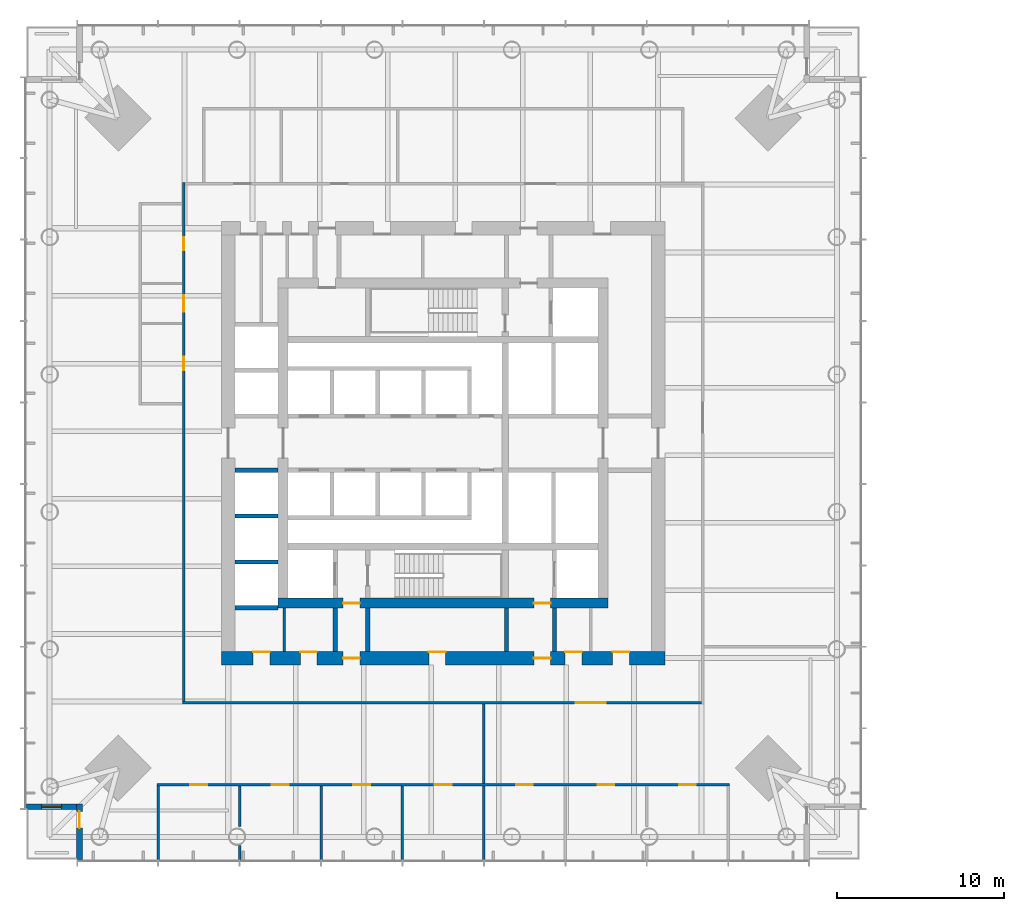
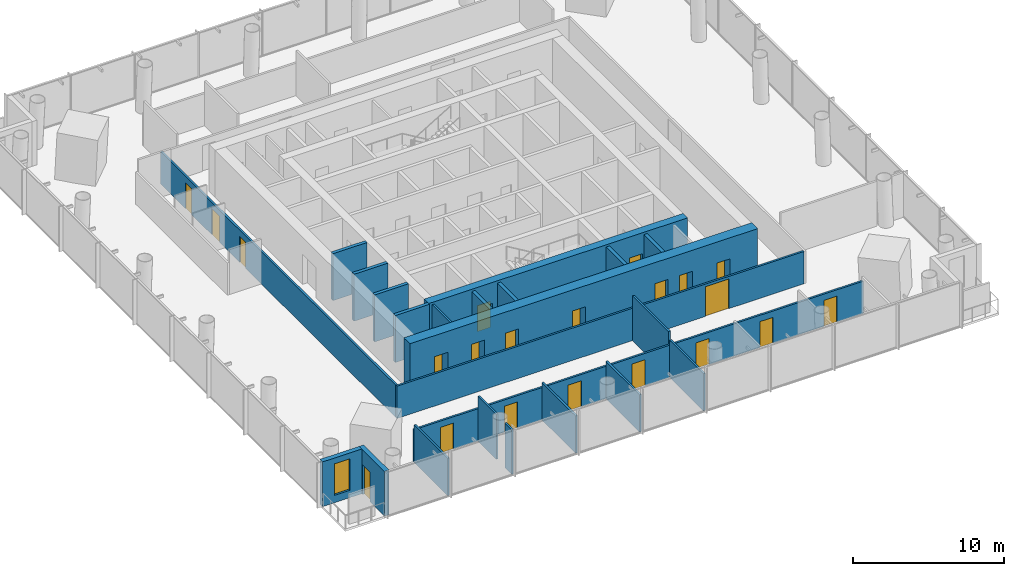
# One storey, part 10 of 21: 23 walls, 21 doors, 1 window, 22 openings.
"""IFC4 building model written with IfcOpenShell, lengths in metres."""

from ifc_helpers import new_model, si_unit, direction, frame, frame_2d, origin, place, context, subcontext, project, spatial, rectangle, extrude, material, layer, layer_set, type_object, element, fill, save


model = new_model("IFC4")

# Units and contexts
model_context = context("Model", 3, precision=1e-05, world=origin(), true_north=direction((0.0, 1.0)))
body_context = subcontext(model_context, "Body", "Model", "MODEL_VIEW")
ifc_project = project(units=[si_unit("LENGTHUNIT", "METRE"), si_unit("AREAUNIT", "SQUARE_METRE"), si_unit("VOLUMEUNIT", "CUBIC_METRE"), si_unit("PLANEANGLEUNIT", "RADIAN"), si_unit("MASSUNIT", "GRAM", prefix="KILO")], contexts=[model_context])

# Site, building, storey
site_placement = place(None, origin())
site = spatial("IfcSite", under=ifc_project, at=site_placement, CompositionType="ELEMENT")
building_placement = place(site_placement, origin())
building = spatial("IfcBuilding", under=site, at=building_placement, Name="Ostroluk Exchange", CompositionType="ELEMENT")
storey_placement = place(building_placement, frame((0.0, 0.0, 32.39990234375)))
storey = spatial("IfcBuildingStorey", under=building, at=storey_placement, Name="L07", CompositionType="ELEMENT", Elevation=32.39990234375)

# Walls
ifc_material_1 = material(Name="Concrete blockwork", Category="masonry")
ifc_layer_1 = layer(ifc_material_1, 0.14990234375)
ifc_layer_set_1 = layer_set([ifc_layer_1], Name="Blockwork plant room wall 150")
wall_type_1 = type_object("IfcWallType", Name="Blockwork plant room wall 150", PredefinedType="SOLIDWALL", material=ifc_layer_set_1)
wall_1_placement = place(storey_placement, frame((35.449951171875, 33.5, 0.0), z_axis=(0.0, 0.0, 1.0), x_axis=(0.0, 1.0, 0.0)))
element("IfcWall", 1, at=wall_1_placement, inside=storey, type_object=wall_type_1, Name="Core room wall", PredefinedType="SOLIDWALL", context=body_context, shape_type="SweptSolid", body=[
    extrude(rectangle(XDim=2.60009765625, YDim=0.14990234375, at=frame_2d((1.300048828125, 0.0))), origin(), (0.0, 0.0, 1.0), 3.6201171875),
])
ifc_material_2 = material(Name="Concrete blockwork", Category="masonry")
ifc_layer_2 = layer(ifc_material_2, 0.25)
ifc_layer_set_2 = layer_set([ifc_layer_2], Name="Blockwork stair enclosure wall 250")
wall_type_2 = type_object("IfcWallType", Name="Blockwork stair enclosure wall 250", PredefinedType="SOLIDWALL", material=ifc_layer_set_2)
for number, where, z_axis, x_axis, name in (
    (2, (38.52490234375, 33.5, 0.0), (0.0, 0.0, 1.0), (0.0, 1.0, 0.0), "Fire lobby enclosure wall"),
    (3, (40.47509765625, 33.5, 0.0), (0.0, 0.0, 1.0), (0.0, 1.0, 0.0), "Fire lobby enclosure wall"),
    (4, (48.804931640625, 33.5, 0.0), (0.0, 0.0, 1.0), (0.0, 1.0, 0.0), "Service lobby enclosure wall"),
    (5, (51.675048828125, 33.5, 0.0), (0.0, 0.0, 1.0), (0.0, 1.0, 0.0), "Service lobby enclosure wall"),
):
    element("IfcWall", number, at=place(storey_placement, frame(where, z_axis=z_axis, x_axis=x_axis)), inside=storey, type_object=wall_type_2, Name=name, PredefinedType="SOLIDWALL", context=body_context, shape_type="SweptSolid", body=[
        extrude(rectangle(XDim=2.60009765625, YDim=0.25, at=frame_2d((1.300048828125, 0.0))), origin(), (0.0, 0.0, 1.0), 3.6201171875),
    ])
ifc_material_3 = material(Name="Concrete C40/50", Category="concrete")
ifc_layer_3 = layer(ifc_material_3, 0.25)
ifc_layer_set_3 = layer_set([ifc_layer_3], Name="Core shaft wall 250")
wall_type_3 = type_object("IfcWallType", Name="Core shaft wall 250", PredefinedType="SHEAR", material=ifc_layer_set_3)
for number, where, z_axis, x_axis, name in (
    (6, (32.5, 36.125, 0.0), (0.0, 0.0, 1.0), (1.0, 0.0, 0.0), "Lift shaft wall"),
    (7, (32.5, 38.875, 0.0), (0.0, 0.0, 1.0), (1.0, 0.0, 0.0), "Lift shaft wall"),
    (8, (32.5, 41.625, 0.0), (0.0, 0.0, 1.0), (1.0, 0.0, 0.0), "Lift shaft wall"),
    (9, (32.5, 44.375, 0.0), (0.0, 0.0, 1.0), (1.0, 0.0, 0.0), "Lift shaft wall"),
):
    element("IfcWall", number, at=place(storey_placement, frame(where, z_axis=z_axis, x_axis=x_axis)), inside=storey, type_object=wall_type_3, Name=name, PredefinedType="SHEAR", context=body_context, shape_type="SweptSolid", body=[
        extrude(rectangle(XDim=2.60009765625, YDim=0.25, at=frame_2d((1.300048828125, 0.0))), origin(), (0.0, 0.0, 1.0), 3.800048828125),
    ])

# Wall, openings, doors
ifc_material_4 = material(Name="Concrete C50/60", Category="concrete")
ifc_layer_4 = layer(ifc_material_4, 0.60009765625)
ifc_layer_set_4 = layer_set([ifc_layer_4], Name="Core wall 600 C50/60")
wall_type_4 = type_object("IfcWallType", Name="Core wall 600 C50/60", PredefinedType="SHEAR", material=ifc_layer_set_4)
wall_2_placement = place(storey_placement, frame((35.10009765625, 36.39990234375, 0.0), z_axis=(0.0, 0.0, 1.0), x_axis=(1.0, 0.0, 0.0)))
wall_2 = element("IfcWall", 10, at=wall_2_placement, inside=storey, type_object=wall_type_4, Name="T1 core wall S", PredefinedType="SHEAR", context=body_context, shape_type="SweptSolid", body=[
    extrude(rectangle(XDim=19.7998046875, YDim=0.60009765625, at=frame_2d((9.89990234375, 0.0))), origin(), (0.0, 0.0, 1.0), 3.800048828125),
])
opening_1_placement = place(wall_2_placement, frame((3.89990234375, 0.0, 0.0)))
opening_1 = element("IfcOpeningElement", 11, at=opening_1_placement, cuts=wall_2, Name="Opening FD60", PredefinedType="OPENING", context=body_context, shape_type="SweptSolid", body=[
    extrude(rectangle(XDim=1.0, YDim=2.10009765625, at=frame_2d((0.5, 1.050048828125))), frame((0.0, 0.31005859375, 0.0), z_axis=(0.0, -1.0, 0.0), x_axis=(1.0, 0.0, 0.0)), (0.0, 0.0, 1.0), 0.6201171875),
])
opening_2_placement = place(wall_2_placement, frame((15.35009765625, 0.0, 0.0)))
opening_2 = element("IfcOpeningElement", 12, at=opening_2_placement, cuts=wall_2, Name="Opening FD60", PredefinedType="OPENING", context=body_context, shape_type="SweptSolid", body=[
    extrude(rectangle(XDim=1.0, YDim=2.10009765625, at=frame_2d((0.5, 1.050048828125))), frame((0.0, 0.31005859375, 0.0), z_axis=(0.0, -1.0, 0.0), x_axis=(1.0, 0.0, 0.0)), (0.0, 0.0, 1.0), 0.6201171875),
])
ifc_material_5 = material(Name="Steel", Category="steel")
door_type_1 = type_object("IfcDoorType", Name="Fire door EI 60 1000 x 2100", OperationType="SINGLE_SWING_LEFT", PredefinedType="DOOR", material=ifc_material_5)
door_1_placement = place(opening_1_placement, origin())
door_1 = element("IfcDoor", 13, at=door_1_placement, inside=storey, type_object=door_type_1, Name="Firefighting lobby door", OperationType="SINGLE_SWING_LEFT", OverallHeight=2.10009765625, OverallWidth=1.0, PredefinedType="DOOR", context=body_context, shape_type="SweptSolid", body=[
    extrude(rectangle(XDim=1.0, YDim=2.10009765625, at=frame_2d((0.5, 1.050048828125))), frame((0.0, 0.02490234375, 0.0), z_axis=(0.0, -1.0, 0.0), x_axis=(1.0, 0.0, 0.0)), (0.0, 0.0, 1.0), 0.050048828125),
])
fill(opening_1, door_1)
door_2_placement = place(opening_2_placement, origin())
door_2 = element("IfcDoor", 14, at=door_2_placement, inside=storey, type_object=door_type_1, Name="Service lobby door", OperationType="SINGLE_SWING_RIGHT", OverallHeight=2.10009765625, OverallWidth=1.0, PredefinedType="DOOR", context=body_context, shape_type="SweptSolid", body=[
    extrude(rectangle(XDim=1.0, YDim=2.10009765625, at=frame_2d((0.5, 1.050048828125))), frame((0.0, 0.02490234375, 0.0), z_axis=(0.0, -1.0, 0.0), x_axis=(1.0, 0.0, 0.0)), (0.0, 0.0, 1.0), 0.050048828125),
])
fill(opening_2, door_2)

ifc_material_6 = material(Name="Concrete C50/60", Category="concrete")
ifc_layer_5 = layer(ifc_material_6, 0.800048828125)
ifc_layer_set_5 = layer_set([ifc_layer_5], Name="Core wall 800 C50/60")
wall_type_5 = type_object("IfcWallType", Name="Core wall 800 C50/60", PredefinedType="SHEAR", material=ifc_layer_set_5)
wall_3_placement = place(storey_placement, frame((31.699951171875, 33.10009765625, 0.0), z_axis=(0.0, 0.0, 1.0), x_axis=(1.0, 0.0, 0.0)))
wall_3 = element("IfcWall", 15, at=wall_3_placement, inside=storey, type_object=wall_type_5, Name="T1 core wall RS", PredefinedType="SHEAR", context=body_context, shape_type="SweptSolid", body=[
    extrude(rectangle(XDim=26.60009765625, YDim=0.800048828125, at=frame_2d((13.300048828125, 0.0))), origin(), (0.0, 0.0, 1.0), 3.800048828125),
])
opening_3_placement = place(wall_3_placement, frame((7.300048828125, 0.0, 0.0)))
opening_3 = element("IfcOpeningElement", 16, at=opening_3_placement, cuts=wall_3, Name="Opening FD60", PredefinedType="OPENING", context=body_context, shape_type="SweptSolid", body=[
    extrude(rectangle(XDim=1.0, YDim=2.10009765625, at=frame_2d((0.5, 1.050048828125))), frame((0.0, 0.409912109375, 0.0), z_axis=(0.0, -1.0, 0.0), x_axis=(1.0, 0.0, 0.0)), (0.0, 0.0, 1.0), 0.820068359375),
])
opening_4_placement = place(wall_3_placement, frame((18.75, 0.0, 0.0)))
opening_4 = element("IfcOpeningElement", 17, at=opening_4_placement, cuts=wall_3, Name="Opening FD60", PredefinedType="OPENING", context=body_context, shape_type="SweptSolid", body=[
    extrude(rectangle(XDim=1.0, YDim=2.10009765625, at=frame_2d((0.5, 1.050048828125))), frame((0.0, 0.409912109375, 0.0), z_axis=(0.0, -1.0, 0.0), x_axis=(1.0, 0.0, 0.0)), (0.0, 0.0, 1.0), 0.820068359375),
])
opening_5_placement = place(wall_3_placement, frame((1.89990234375, 0.0, 0.0)))
opening_5 = element("IfcOpeningElement", 18, at=opening_5_placement, cuts=wall_3, Name="Opening FD60", PredefinedType="OPENING", context=body_context, shape_type="SweptSolid", body=[
    extrude(rectangle(XDim=1.0, YDim=2.10009765625, at=frame_2d((0.5, 1.050048828125))), frame((0.0, 0.409912109375, 0.0), z_axis=(0.0, -1.0, 0.0), x_axis=(1.0, 0.0, 0.0)), (0.0, 0.0, 1.0), 0.820068359375),
])
opening_6_placement = place(wall_3_placement, frame((4.72509765625, 0.0, 0.0)))
opening_6 = element("IfcOpeningElement", 19, at=opening_6_placement, cuts=wall_3, Name="Opening FD60", PredefinedType="OPENING", context=body_context, shape_type="SweptSolid", body=[
    extrude(rectangle(XDim=1.0, YDim=2.10009765625, at=frame_2d((0.5, 1.050048828125))), frame((0.0, 0.409912109375, 0.0), z_axis=(0.0, -1.0, 0.0), x_axis=(1.0, 0.0, 0.0)), (0.0, 0.0, 1.0), 0.820068359375),
])
opening_7_placement = place(wall_3_placement, frame((12.43994140625, 0.0, 0.0)))
opening_7 = element("IfcOpeningElement", 20, at=opening_7_placement, cuts=wall_3, Name="Opening FD60", PredefinedType="OPENING", context=body_context, shape_type="SweptSolid", body=[
    extrude(rectangle(XDim=1.0, YDim=2.10009765625, at=frame_2d((0.5, 1.050048828125))), frame((0.0, 0.409912109375, 0.0), z_axis=(0.0, -1.0, 0.0), x_axis=(1.0, 0.0, 0.0)), (0.0, 0.0, 1.0), 0.820068359375),
])
opening_8_placement = place(wall_3_placement, frame((20.6259765625, 0.0, 0.0)))
opening_8 = element("IfcOpeningElement", 21, at=opening_8_placement, cuts=wall_3, Name="Opening FD60", PredefinedType="OPENING", context=body_context, shape_type="SweptSolid", body=[
    extrude(rectangle(XDim=1.0, YDim=2.10009765625, at=frame_2d((0.5, 1.050048828125))), frame((0.0, 0.409912109375, 0.0), z_axis=(0.0, -1.0, 0.0), x_axis=(1.0, 0.0, 0.0)), (0.0, 0.0, 1.0), 0.820068359375),
])
opening_9_placement = place(wall_3_placement, frame((23.47607421875, 0.0, 0.0)))
opening_9 = element("IfcOpeningElement", 22, at=opening_9_placement, cuts=wall_3, Name="Opening FD60", PredefinedType="OPENING", context=body_context, shape_type="SweptSolid", body=[
    extrude(rectangle(XDim=1.0, YDim=2.10009765625, at=frame_2d((0.5, 1.050048828125))), frame((0.0, 0.409912109375, 0.0), z_axis=(0.0, -1.0, 0.0), x_axis=(1.0, 0.0, 0.0)), (0.0, 0.0, 1.0), 0.820068359375),
])
door_3_placement = place(opening_3_placement, origin())
door_3 = element("IfcDoor", 23, at=door_3_placement, inside=storey, type_object=door_type_1, Name="Firefighting lobby door", OperationType="SINGLE_SWING_LEFT", OverallHeight=2.10009765625, OverallWidth=1.0, PredefinedType="DOOR", context=body_context, shape_type="SweptSolid", body=[
    extrude(rectangle(XDim=1.0, YDim=2.10009765625, at=frame_2d((0.5, 1.050048828125))), frame((0.0, 0.02490234375, 0.0), z_axis=(0.0, -1.0, 0.0), x_axis=(1.0, 0.0, 0.0)), (0.0, 0.0, 1.0), 0.050048828125),
])
fill(opening_3, door_3)
door_4_placement = place(opening_4_placement, origin())
door_4 = element("IfcDoor", 24, at=door_4_placement, inside=storey, type_object=door_type_1, Name="Service lobby door", OperationType="SINGLE_SWING_RIGHT", OverallHeight=2.10009765625, OverallWidth=1.0, PredefinedType="DOOR", context=body_context, shape_type="SweptSolid", body=[
    extrude(rectangle(XDim=1.0, YDim=2.10009765625, at=frame_2d((0.5, 1.050048828125))), frame((0.0, 0.02490234375, 0.0), z_axis=(0.0, -1.0, 0.0), x_axis=(1.0, 0.0, 0.0)), (0.0, 0.0, 1.0), 0.050048828125),
])
fill(opening_4, door_4)
door_5_placement = place(opening_5_placement, origin())
door_5 = element("IfcDoor", 25, at=door_5_placement, inside=storey, type_object=door_type_1, Name="Archive door", OperationType="SINGLE_SWING_LEFT", OverallHeight=2.10009765625, OverallWidth=1.0, PredefinedType="DOOR", context=body_context, shape_type="SweptSolid", body=[
    extrude(rectangle(XDim=1.0, YDim=2.10009765625, at=frame_2d((0.5, 1.050048828125))), frame((0.0, 0.39013671875, 0.0), z_axis=(0.0, -1.0, 0.0), x_axis=(1.0, 0.0, 0.0)), (0.0, 0.0, 1.0), 0.050048828125),
])
fill(opening_5, door_5)
door_6_placement = place(opening_6_placement, origin())
door_6 = element("IfcDoor", 26, at=door_6_placement, inside=storey, type_object=door_type_1, Name="Tenant IT room door", OperationType="SINGLE_SWING_LEFT", OverallHeight=2.10009765625, OverallWidth=1.0, PredefinedType="DOOR", context=body_context, shape_type="SweptSolid", body=[
    extrude(rectangle(XDim=1.0, YDim=2.10009765625, at=frame_2d((0.5, 1.050048828125))), frame((0.0, 0.39013671875, 0.0), z_axis=(0.0, -1.0, 0.0), x_axis=(1.0, 0.0, 0.0)), (0.0, 0.0, 1.0), 0.050048828125),
])
fill(opening_6, door_6)
door_7_placement = place(opening_7_placement, origin())
door_7 = element("IfcDoor", 27, at=door_7_placement, inside=storey, type_object=door_type_1, Name="Tea point door", OperationType="SINGLE_SWING_LEFT", OverallHeight=2.10009765625, OverallWidth=1.0, PredefinedType="DOOR", context=body_context, shape_type="SweptSolid", body=[
    extrude(rectangle(XDim=1.0, YDim=2.10009765625, at=frame_2d((0.5, 1.050048828125))), frame((0.0, 0.39013671875, 0.0), z_axis=(0.0, -1.0, 0.0), x_axis=(1.0, 0.0, 0.0)), (0.0, 0.0, 1.0), 0.050048828125),
])
fill(opening_7, door_7)
door_8_placement = place(opening_8_placement, origin())
door_8 = element("IfcDoor", 28, at=door_8_placement, inside=storey, type_object=door_type_1, Name="Comms room door", OperationType="SINGLE_SWING_RIGHT", OverallHeight=2.10009765625, OverallWidth=1.0, PredefinedType="DOOR", context=body_context, shape_type="SweptSolid", body=[
    extrude(rectangle(XDim=1.0, YDim=2.10009765625, at=frame_2d((0.5, 1.050048828125))), frame((0.0, 0.39013671875, 0.0), z_axis=(0.0, -1.0, 0.0), x_axis=(1.0, 0.0, 0.0)), (0.0, 0.0, 1.0), 0.050048828125),
])
fill(opening_8, door_8)
door_9_placement = place(opening_9_placement, origin())
door_9 = element("IfcDoor", 29, at=door_9_placement, inside=storey, type_object=door_type_1, Name="First aid room door", OperationType="SINGLE_SWING_RIGHT", OverallHeight=2.10009765625, OverallWidth=1.0, PredefinedType="DOOR", context=body_context, shape_type="SweptSolid", body=[
    extrude(rectangle(XDim=1.0, YDim=2.10009765625, at=frame_2d((0.5, 1.050048828125))), frame((0.0, 0.39013671875, 0.0), z_axis=(0.0, -1.0, 0.0), x_axis=(1.0, 0.0, 0.0)), (0.0, 0.0, 1.0), 0.050048828125),
])
fill(opening_9, door_9)

# Wall, opening, door
ifc_material_7 = material(Name="Limestone", Category="masonry")
ifc_layer_6 = layer(ifc_material_7, 0.35009765625)
ifc_layer_set_6 = layer_set([ifc_layer_6], Name="Limestone facade wall 350")
wall_type_6 = type_object("IfcWallType", Name="Limestone facade wall 350", PredefinedType="SOLIDWALL", material=ifc_layer_set_6)
wall_4_placement = place(storey_placement, frame((23.175048828125, 21.0, 0.0), z_axis=(0.0, 0.0, 1.0), x_axis=(0.0, 1.0, 0.0)))
wall_4 = element("IfcWall", 30, at=wall_4_placement, inside=storey, type_object=wall_type_6, Name="Office tower SW corner wall L07 a", PredefinedType="SOLIDWALL", context=body_context, shape_type="SweptSolid", body=[
    extrude(rectangle(XDim=3.35009765625, YDim=0.35009765625, at=frame_2d((1.675048828125, 0.0))), origin(), (0.0, 0.0, 1.0), 3.6201171875),
])
opening_10_placement = place(wall_4_placement, frame((1.89990234375, 0.0, 0.0)))
opening_10 = element("IfcOpeningElement", 31, at=opening_10_placement, cuts=wall_4, Name="Opening D-B1", PredefinedType="OPENING", context=body_context, shape_type="SweptSolid", body=[
    extrude(rectangle(XDim=1.0, YDim=2.39990234375, at=frame_2d((0.5, 1.199951171875))), frame((0.0, 0.18505859375, 0.0), z_axis=(0.0, -1.0, 0.0), x_axis=(1.0, 0.0, 0.0)), (0.0, 0.0, 1.0), 0.3701171875),
])
ifc_material_8 = material(Name="Bronze framed glazed door", Category="aluminium")
door_type_2 = type_object("IfcDoorType", Name="Balcony door 1000 x 2400", OperationType="SINGLE_SWING_LEFT", PredefinedType="DOOR", material=ifc_material_8)
door_10_placement = place(opening_10_placement, origin())
door_10 = element("IfcDoor", 32, at=door_10_placement, inside=storey, type_object=door_type_2, Name="Office tower SW balcony door L07", OperationType="SINGLE_SWING_RIGHT", OverallHeight=2.39990234375, OverallWidth=1.0, PredefinedType="DOOR", context=body_context, shape_type="SweptSolid", body=[
    extrude(rectangle(XDim=1.0, YDim=2.39990234375, at=frame_2d((0.5, 1.199951171875))), frame((0.0, 0.02490234375, 0.0), z_axis=(0.0, -1.0, 0.0), x_axis=(1.0, 0.0, 0.0)), (0.0, 0.0, 1.0), 0.050048828125),
])
fill(opening_10, door_10)

# Wall, opening, window
wall_5_placement = place(storey_placement, frame((23.0, 24.175048828125, 0.0), z_axis=(0.0, 0.0, 1.0), x_axis=(-1.0, 0.0, 0.0)))
wall_5 = element("IfcWall", 33, at=wall_5_placement, inside=storey, type_object=wall_type_6, Name="Office tower SW corner wall L07 b", PredefinedType="SOLIDWALL", context=body_context, shape_type="SweptSolid", body=[
    extrude(rectangle(XDim=3.0, YDim=0.35009765625, at=frame_2d((1.5, 0.0))), origin(), (0.0, 0.0, 1.0), 3.6201171875),
])
opening_11_placement = place(wall_5_placement, frame((0.89990234375, 0.0, 0.60009765625)))
opening_11 = element("IfcOpeningElement", 34, at=opening_11_placement, cuts=wall_5, Name="Opening WN-L1", PredefinedType="OPENING", context=body_context, shape_type="SweptSolid", body=[
    extrude(rectangle(XDim=1.199951171875, YDim=2.550048828125, at=frame_2d((0.60009765625, 1.27490234375))), frame((0.0, 0.18505859375, 0.0), z_axis=(0.0, -1.0, 0.0), x_axis=(1.0, 0.0, 0.0)), (0.0, 0.0, 1.0), 0.3701171875),
])
ifc_material_9 = material(Name="Laminated clear glass", Category="glass")
window_type = type_object("IfcWindowType", Name="Lancet window 1200 x 2550", PartitioningType="SINGLE_PANEL", PredefinedType="WINDOW", material=ifc_material_9)
window_placement = place(opening_11_placement, origin())
window = element("IfcWindow", 35, at=window_placement, inside=storey, type_object=window_type, Name="Office tower SW lancet window L07", OverallHeight=2.550048828125, OverallWidth=1.199951171875, PartitioningType="SINGLE_PANEL", PredefinedType="WINDOW", context=body_context, shape_type="SweptSolid", body=[
    extrude(rectangle(XDim=1.199951171875, YDim=2.550048828125, at=frame_2d((0.60009765625, 1.27490234375))), frame((0.0, 0.030029296875, 0.0), z_axis=(0.0, -1.0, 0.0), x_axis=(1.0, 0.0, 0.0)), (0.0, 0.0, 1.0), 0.06005859375),
])
fill(opening_11, window)

# Wall, openings, doors
ifc_material_10 = material(Name="Gypsum plasterboard partition", Category="gypsum")
ifc_layer_7 = layer(ifc_material_10, 0.14990234375)
ifc_layer_set_7 = layer_set([ifc_layer_7], Name="Plasterboard partition 150")
wall_type_7 = type_object("IfcWallType", Name="Plasterboard partition 150", PredefinedType="PARTITIONING", material=ifc_layer_set_7)
wall_6_placement = place(storey_placement, frame((27.81396484375, 25.5, 0.0), z_axis=(0.0, 0.0, 1.0), x_axis=(1.0, 0.0, 0.0)))
wall_6 = element("IfcWall", 36, at=wall_6_placement, inside=storey, type_object=wall_type_7, Name="Partition", PredefinedType="PARTITIONING", context=body_context, shape_type="SweptSolid", body=[
    extrude(rectangle(XDim=34.3720703125, YDim=0.14990234375, at=frame_2d((17.18603515625, 0.0))), origin(), (0.0, 0.0, 1.0), 2.612060546875),
])
opening_12_placement = place(wall_6_placement, frame((2.01953125, 0.0, 0.0)))
opening_12 = element("IfcOpeningElement", 37, at=opening_12_placement, cuts=wall_6, Name="Opening D-03", PredefinedType="OPENING", context=body_context, shape_type="SweptSolid", body=[
    extrude(rectangle(XDim=1.0, YDim=2.10009765625, at=frame_2d((0.5, 1.050048828125))), frame((0.0, 0.0849609375, 0.0), z_axis=(0.0, -1.0, 0.0), x_axis=(1.0, 0.0, 0.0)), (0.0, 0.0, 1.0), 0.169921875),
])
opening_13_placement = place(wall_6_placement, frame((6.908447265625, 0.0, 0.0)))
opening_13 = element("IfcOpeningElement", 38, at=opening_13_placement, cuts=wall_6, Name="Opening D-03", PredefinedType="OPENING", context=body_context, shape_type="SweptSolid", body=[
    extrude(rectangle(XDim=1.0, YDim=2.10009765625, at=frame_2d((0.5, 1.050048828125))), frame((0.0, 0.0849609375, 0.0), z_axis=(0.0, -1.0, 0.0), x_axis=(1.0, 0.0, 0.0)), (0.0, 0.0, 1.0), 0.169921875),
])
opening_14_placement = place(wall_6_placement, frame((11.797119140625, 0.0, 0.0)))
opening_14 = element("IfcOpeningElement", 39, at=opening_14_placement, cuts=wall_6, Name="Opening D-03", PredefinedType="OPENING", context=body_context, shape_type="SweptSolid", body=[
    extrude(rectangle(XDim=1.0, YDim=2.10009765625, at=frame_2d((0.5, 1.050048828125))), frame((0.0, 0.0849609375, 0.0), z_axis=(0.0, -1.0, 0.0), x_axis=(1.0, 0.0, 0.0)), (0.0, 0.0, 1.0), 0.169921875),
])
opening_15_placement = place(wall_6_placement, frame((16.68603515625, 0.0, 0.0)))
opening_15 = element("IfcOpeningElement", 40, at=opening_15_placement, cuts=wall_6, Name="Opening D-03", PredefinedType="OPENING", context=body_context, shape_type="SweptSolid", body=[
    extrude(rectangle(XDim=1.0, YDim=2.10009765625, at=frame_2d((0.5, 1.050048828125))), frame((0.0, 0.0849609375, 0.0), z_axis=(0.0, -1.0, 0.0), x_axis=(1.0, 0.0, 0.0)), (0.0, 0.0, 1.0), 0.169921875),
])
opening_16_placement = place(wall_6_placement, frame((21.574951171875, 0.0, 0.0)))
opening_16 = element("IfcOpeningElement", 41, at=opening_16_placement, cuts=wall_6, Name="Opening D-03", PredefinedType="OPENING", context=body_context, shape_type="SweptSolid", body=[
    extrude(rectangle(XDim=1.0, YDim=2.10009765625, at=frame_2d((0.5, 1.050048828125))), frame((0.0, 0.0849609375, 0.0), z_axis=(0.0, -1.0, 0.0), x_axis=(1.0, 0.0, 0.0)), (0.0, 0.0, 1.0), 0.169921875),
])
opening_17_placement = place(wall_6_placement, frame((26.4638671875, 0.0, 0.0)))
opening_17 = element("IfcOpeningElement", 42, at=opening_17_placement, cuts=wall_6, Name="Opening D-03", PredefinedType="OPENING", context=body_context, shape_type="SweptSolid", body=[
    extrude(rectangle(XDim=1.0, YDim=2.10009765625, at=frame_2d((0.5, 1.050048828125))), frame((0.0, 0.0849609375, 0.0), z_axis=(0.0, -1.0, 0.0), x_axis=(1.0, 0.0, 0.0)), (0.0, 0.0, 1.0), 0.169921875),
])
opening_18_placement = place(wall_6_placement, frame((31.352783203125, 0.0, 0.0)))
opening_18 = element("IfcOpeningElement", 43, at=opening_18_placement, cuts=wall_6, Name="Opening D-03", PredefinedType="OPENING", context=body_context, shape_type="SweptSolid", body=[
    extrude(rectangle(XDim=1.0, YDim=2.10009765625, at=frame_2d((0.5, 1.050048828125))), frame((0.0, 0.0849609375, 0.0), z_axis=(0.0, -1.0, 0.0), x_axis=(1.0, 0.0, 0.0)), (0.0, 0.0, 1.0), 0.169921875),
])
ifc_material_11 = material(Name="Timber", Category="wood")
door_type_3 = type_object("IfcDoorType", Name="Internal door 1000 x 2100", OperationType="SINGLE_SWING_LEFT", PredefinedType="DOOR", material=ifc_material_11)
door_11_placement = place(opening_12_placement, origin())
door_11 = element("IfcDoor", 44, at=door_11_placement, inside=storey, type_object=door_type_3, Name="Office door", OperationType="SINGLE_SWING_LEFT", OverallHeight=2.10009765625, OverallWidth=1.0, PredefinedType="DOOR", context=body_context, shape_type="SweptSolid", body=[
    extrude(rectangle(XDim=1.0, YDim=2.10009765625, at=frame_2d((0.5, 1.050048828125))), frame((0.0, 0.02490234375, 0.0), z_axis=(0.0, -1.0, 0.0), x_axis=(1.0, 0.0, 0.0)), (0.0, 0.0, 1.0), 0.050048828125),
])
fill(opening_12, door_11)
door_12_placement = place(opening_13_placement, origin())
door_12 = element("IfcDoor", 45, at=door_12_placement, inside=storey, type_object=door_type_3, Name="Office door", OperationType="SINGLE_SWING_LEFT", OverallHeight=2.10009765625, OverallWidth=1.0, PredefinedType="DOOR", context=body_context, shape_type="SweptSolid", body=[
    extrude(rectangle(XDim=1.0, YDim=2.10009765625, at=frame_2d((0.5, 1.050048828125))), frame((0.0, 0.02490234375, 0.0), z_axis=(0.0, -1.0, 0.0), x_axis=(1.0, 0.0, 0.0)), (0.0, 0.0, 1.0), 0.050048828125),
])
fill(opening_13, door_12)
door_13_placement = place(opening_14_placement, origin())
door_13 = element("IfcDoor", 46, at=door_13_placement, inside=storey, type_object=door_type_3, Name="Office door", OperationType="SINGLE_SWING_LEFT", OverallHeight=2.10009765625, OverallWidth=1.0, PredefinedType="DOOR", context=body_context, shape_type="SweptSolid", body=[
    extrude(rectangle(XDim=1.0, YDim=2.10009765625, at=frame_2d((0.5, 1.050048828125))), frame((0.0, 0.02490234375, 0.0), z_axis=(0.0, -1.0, 0.0), x_axis=(1.0, 0.0, 0.0)), (0.0, 0.0, 1.0), 0.050048828125),
])
fill(opening_14, door_13)
door_14_placement = place(opening_15_placement, origin())
door_14 = element("IfcDoor", 47, at=door_14_placement, inside=storey, type_object=door_type_3, Name="Office door", OperationType="SINGLE_SWING_RIGHT", OverallHeight=2.10009765625, OverallWidth=1.0, PredefinedType="DOOR", context=body_context, shape_type="SweptSolid", body=[
    extrude(rectangle(XDim=1.0, YDim=2.10009765625, at=frame_2d((0.5, 1.050048828125))), frame((0.0, 0.02490234375, 0.0), z_axis=(0.0, -1.0, 0.0), x_axis=(1.0, 0.0, 0.0)), (0.0, 0.0, 1.0), 0.050048828125),
])
fill(opening_15, door_14)
door_15_placement = place(opening_16_placement, origin())
door_15 = element("IfcDoor", 48, at=door_15_placement, inside=storey, type_object=door_type_3, Name="Office door", OperationType="SINGLE_SWING_RIGHT", OverallHeight=2.10009765625, OverallWidth=1.0, PredefinedType="DOOR", context=body_context, shape_type="SweptSolid", body=[
    extrude(rectangle(XDim=1.0, YDim=2.10009765625, at=frame_2d((0.5, 1.050048828125))), frame((0.0, 0.02490234375, 0.0), z_axis=(0.0, -1.0, 0.0), x_axis=(1.0, 0.0, 0.0)), (0.0, 0.0, 1.0), 0.050048828125),
])
fill(opening_16, door_15)
door_16_placement = place(opening_17_placement, origin())
door_16 = element("IfcDoor", 49, at=door_16_placement, inside=storey, type_object=door_type_3, Name="Office door", OperationType="SINGLE_SWING_RIGHT", OverallHeight=2.10009765625, OverallWidth=1.0, PredefinedType="DOOR", context=body_context, shape_type="SweptSolid", body=[
    extrude(rectangle(XDim=1.0, YDim=2.10009765625, at=frame_2d((0.5, 1.050048828125))), frame((0.0, 0.02490234375, 0.0), z_axis=(0.0, -1.0, 0.0), x_axis=(1.0, 0.0, 0.0)), (0.0, 0.0, 1.0), 0.050048828125),
])
fill(opening_17, door_16)
door_17_placement = place(opening_18_placement, origin())
door_17 = element("IfcDoor", 50, at=door_17_placement, inside=storey, type_object=door_type_3, Name="Office door", OperationType="SINGLE_SWING_RIGHT", OverallHeight=2.10009765625, OverallWidth=1.0, PredefinedType="DOOR", context=body_context, shape_type="SweptSolid", body=[
    extrude(rectangle(XDim=1.0, YDim=2.10009765625, at=frame_2d((0.5, 1.050048828125))), frame((0.0, 0.02490234375, 0.0), z_axis=(0.0, -1.0, 0.0), x_axis=(1.0, 0.0, 0.0)), (0.0, 0.0, 1.0), 0.050048828125),
])
fill(opening_18, door_17)

# Walls
wall_7_placement = place(storey_placement, frame((27.888916015625, 25.425048828125, 0.0), z_axis=(0.0, 0.0, 1.0), x_axis=(0.0, -1.0, 0.0)))
element("IfcWall", 51, at=wall_7_placement, inside=storey, type_object=wall_type_7, Name="Partition", PredefinedType="PARTITIONING", context=body_context, shape_type="SweptSolid", body=[
    extrude(rectangle(XDim=4.465087890625, YDim=0.14990234375, at=frame_2d((2.232421875, 0.0))), origin(), (0.0, 0.0, 1.0), 3.02001953125),
])
wall_8_placement = place(storey_placement, frame((32.77783203125, 25.425048828125, 0.0), z_axis=(0.0, 0.0, 1.0), x_axis=(0.0, -1.0, 0.0)))
element("IfcWall", 52, at=wall_8_placement, inside=storey, type_object=wall_type_7, Name="Partition", PredefinedType="PARTITIONING", context=body_context, shape_type="SweptSolid", body=[
    extrude(rectangle(XDim=2.431396484375, YDim=0.14990234375, at=frame_2d((1.2158203125, 0.0))), origin(), (0.0, 0.0, 1.0), 3.6201171875),
])
wall_9_placement = place(storey_placement, frame((32.77783203125, 21.856201171875, 0.0), z_axis=(0.0, 0.0, 1.0), x_axis=(0.0, -1.0, 0.0)))
element("IfcWall", 53, at=wall_9_placement, inside=storey, type_object=wall_type_7, Name="Partition", PredefinedType="PARTITIONING", context=body_context, shape_type="SweptSolid", body=[
    extrude(rectangle(XDim=0.896240234375, YDim=0.14990234375, at=frame_2d((0.4482421875, 0.0))), origin(), (0.0, 0.0, 1.0), 3.6201171875),
])
for number, where, z_axis, x_axis, name in (
    (54, (37.666748046875, 25.425048828125, 0.0), (0.0, 0.0, 1.0), (0.0, -1.0, 0.0), "Partition"),
    (55, (42.5556640625, 25.425048828125, 0.0), (0.0, 0.0, 1.0), (0.0, -1.0, 0.0), "Partition"),
    (56, (47.4443359375, 25.425048828125, 0.0), (0.0, 0.0, 1.0), (0.0, -1.0, 0.0), "Partition"),
):
    element("IfcWall", number, at=place(storey_placement, frame(where, z_axis=z_axis, x_axis=x_axis)), inside=storey, type_object=wall_type_7, Name=name, PredefinedType="PARTITIONING", context=body_context, shape_type="SweptSolid", body=[
        extrude(rectangle(XDim=4.465087890625, YDim=0.14990234375, at=frame_2d((2.232421875, 0.0))), origin(), (0.0, 0.0, 1.0), 3.02001953125),
    ])
wall_10_placement = place(storey_placement, frame((47.4443359375, 30.35009765625, 0.0), z_axis=(0.0, 0.0, 1.0), x_axis=(0.0, -1.0, 0.0)))
element("IfcWall", 57, at=wall_10_placement, inside=storey, type_object=wall_type_7, Name="Tenancy partition", PredefinedType="PARTITIONING", context=body_context, shape_type="SweptSolid", body=[
    extrude(rectangle(XDim=4.775146484375, YDim=0.14990234375, at=frame_2d((2.3876953125, 0.0))), origin(), (0.0, 0.0, 1.0), 3.6201171875),
])

# Wall, openings, doors
wall_11_placement = place(storey_placement, frame((29.425048828125, 61.64990234375, 0.0), z_axis=(0.0, 0.0, 1.0), x_axis=(0.0, -1.0, 0.0)))
wall_11 = element("IfcWall", 58, at=wall_11_placement, inside=storey, type_object=wall_type_7, Name="Corridor wall", PredefinedType="PARTITIONING", context=body_context, shape_type="SweptSolid", body=[
    extrude(rectangle(XDim=31.14990234375, YDim=0.14990234375, at=frame_2d((15.574951171875, 0.0))), origin(), (0.0, 0.0, 1.0), 2.612060546875),
])
opening_19_placement = place(wall_11_placement, frame((3.27490234375, 0.0, 0.0)))
opening_19 = element("IfcOpeningElement", 59, at=opening_19_placement, cuts=wall_11, Name="Opening D-06", PredefinedType="OPENING", context=body_context, shape_type="SweptSolid", body=[
    extrude(rectangle(XDim=0.800048828125, YDim=2.10009765625, at=frame_2d((0.39990234375, 1.050048828125))), frame((0.0, 0.0849609375, 0.0), z_axis=(0.0, -1.0, 0.0), x_axis=(1.0, 0.0, 0.0)), (0.0, 0.0, 1.0), 0.169921875),
])
opening_20_placement = place(wall_11_placement, frame((6.77490234375, 0.0, 0.0)))
opening_20 = element("IfcOpeningElement", 60, at=opening_20_placement, cuts=wall_11, Name="Opening D-03", PredefinedType="OPENING", context=body_context, shape_type="SweptSolid", body=[
    extrude(rectangle(XDim=1.0, YDim=2.10009765625, at=frame_2d((0.5, 1.050048828125))), frame((0.0, 0.0849609375, 0.0), z_axis=(0.0, -1.0, 0.0), x_axis=(1.0, 0.0, 0.0)), (0.0, 0.0, 1.0), 0.169921875),
])
opening_21_placement = place(wall_11_placement, frame((10.47509765625, 0.0, 0.0)))
opening_21 = element("IfcOpeningElement", 61, at=opening_21_placement, cuts=wall_11, Name="Opening D-06", PredefinedType="OPENING", context=body_context, shape_type="SweptSolid", body=[
    extrude(rectangle(XDim=0.800048828125, YDim=2.10009765625, at=frame_2d((0.39990234375, 1.050048828125))), frame((0.0, 0.0849609375, 0.0), z_axis=(0.0, -1.0, 0.0), x_axis=(1.0, 0.0, 0.0)), (0.0, 0.0, 1.0), 0.169921875),
])
door_18_placement = place(opening_20_placement, origin())
door_18 = element("IfcDoor", 62, at=door_18_placement, inside=storey, type_object=door_type_3, Name="Accessible WC door", OperationType="SINGLE_SWING_LEFT", OverallHeight=2.10009765625, OverallWidth=1.0, PredefinedType="DOOR", context=body_context, shape_type="SweptSolid", body=[
    extrude(rectangle(XDim=1.0, YDim=2.10009765625, at=frame_2d((0.5, 1.050048828125))), frame((0.0, 0.02490234375, 0.0), z_axis=(0.0, -1.0, 0.0), x_axis=(1.0, 0.0, 0.0)), (0.0, 0.0, 1.0), 0.050048828125),
])
fill(opening_20, door_18)
ifc_material_12 = material(Name="Timber", Category="wood")
door_type_4 = type_object("IfcDoorType", Name="Toilet door 800 x 2100", OperationType="SINGLE_SWING_LEFT", PredefinedType="DOOR", material=ifc_material_12)
door_19_placement = place(opening_19_placement, origin())
door_19 = element("IfcDoor", 63, at=door_19_placement, inside=storey, type_object=door_type_4, Name="WC female door", OperationType="SINGLE_SWING_LEFT", OverallHeight=2.10009765625, OverallWidth=0.800048828125, PredefinedType="DOOR", context=body_context, shape_type="SweptSolid", body=[
    extrude(rectangle(XDim=0.800048828125, YDim=2.10009765625, at=frame_2d((0.39990234375, 1.050048828125))), frame((0.0, 0.02490234375, 0.0), z_axis=(0.0, -1.0, 0.0), x_axis=(1.0, 0.0, 0.0)), (0.0, 0.0, 1.0), 0.050048828125),
])
fill(opening_19, door_19)
door_20_placement = place(opening_21_placement, origin())
door_20 = element("IfcDoor", 64, at=door_20_placement, inside=storey, type_object=door_type_4, Name="WC male door", OperationType="SINGLE_SWING_LEFT", OverallHeight=2.10009765625, OverallWidth=0.800048828125, PredefinedType="DOOR", context=body_context, shape_type="SweptSolid", body=[
    extrude(rectangle(XDim=0.800048828125, YDim=2.10009765625, at=frame_2d((0.39990234375, 1.050048828125))), frame((0.0, 0.02490234375, 0.0), z_axis=(0.0, -1.0, 0.0), x_axis=(1.0, 0.0, 0.0)), (0.0, 0.0, 1.0), 0.050048828125),
])
fill(opening_21, door_20)

# Wall, opening, door
wall_12_placement = place(storey_placement, frame((29.35009765625, 30.425048828125, 0.0), z_axis=(0.0, 0.0, 1.0), x_axis=(1.0, 0.0, 0.0)))
wall_12 = element("IfcWall", 65, at=wall_12_placement, inside=storey, type_object=wall_type_7, Name="Corridor wall", PredefinedType="PARTITIONING", context=body_context, shape_type="SweptSolid", body=[
    extrude(rectangle(XDim=31.14990234375, YDim=0.14990234375, at=frame_2d((15.574951171875, 0.0))), origin(), (0.0, 0.0, 1.0), 2.612060546875),
])
opening_22_placement = place(wall_12_placement, frame((23.59716796875, 0.0, 0.0)))
opening_22 = element("IfcOpeningElement", 66, at=opening_22_placement, cuts=wall_12, Name="Opening D-04", PredefinedType="OPENING", context=body_context, shape_type="SweptSolid", body=[
    extrude(rectangle(XDim=1.800048828125, YDim=2.39990234375, at=frame_2d((0.89990234375, 1.199951171875))), frame((0.0, 0.0849609375, 0.0), z_axis=(0.0, -1.0, 0.0), x_axis=(1.0, 0.0, 0.0)), (0.0, 0.0, 1.0), 0.169921875),
])
ifc_material_13 = material(Name="Timber", Category="wood")
door_type_5 = type_object("IfcDoorType", Name="Double door 1800 x 2400", OperationType="DOUBLE_DOOR_SINGLE_SWING", PredefinedType="DOOR", material=ifc_material_13)
door_21_placement = place(opening_22_placement, origin())
door_21 = element("IfcDoor", 67, at=door_21_placement, inside=storey, type_object=door_type_5, Name="Open plan office door", OperationType="DOUBLE_DOOR_SINGLE_SWING", OverallHeight=2.39990234375, OverallWidth=1.800048828125, PredefinedType="DOOR", context=body_context, shape_type="SweptSolid", body=[
    extrude(rectangle(XDim=1.800048828125, YDim=2.39990234375, at=frame_2d((0.89990234375, 1.199951171875))), frame((0.0, 0.02490234375, 0.0), z_axis=(0.0, -1.0, 0.0), x_axis=(1.0, 0.0, 0.0)), (0.0, 0.0, 1.0), 0.050048828125),
])
fill(opening_22, door_21)

save(model, "model.ifc")
